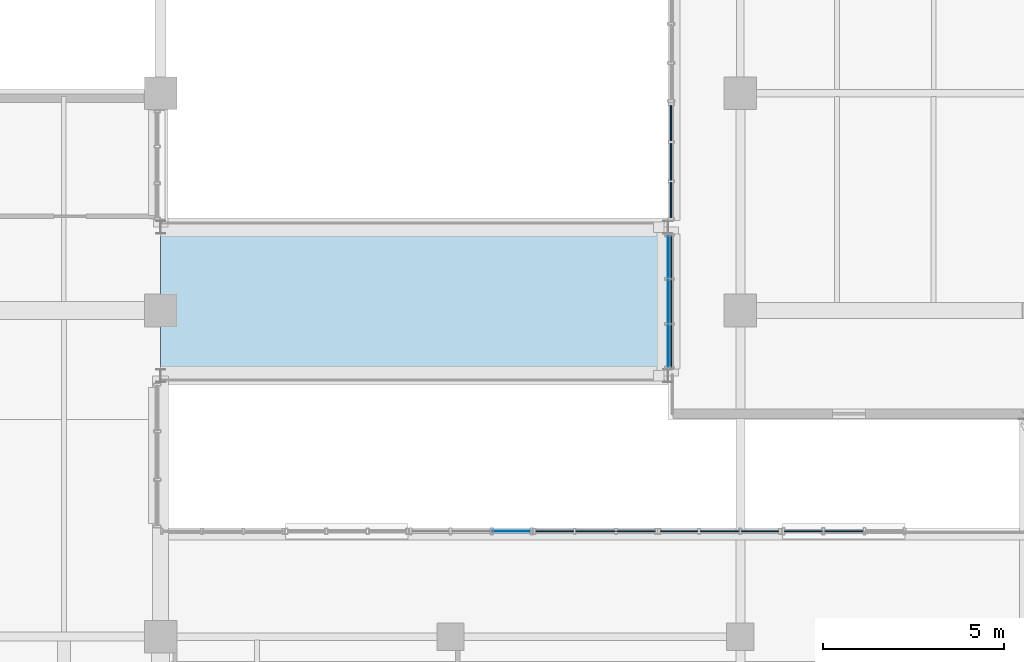
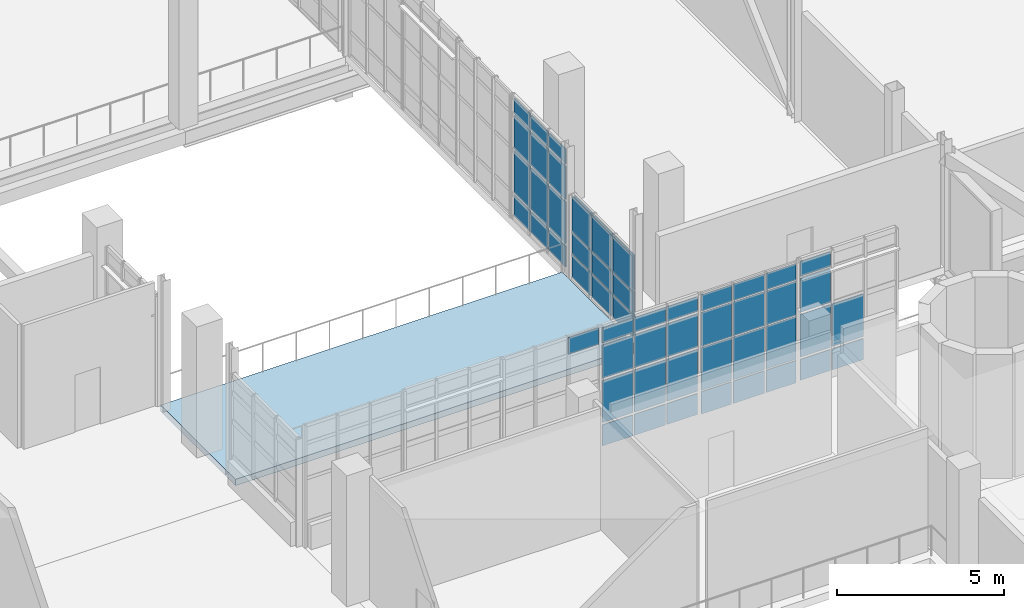
# One storey, part 87 of 127: 61 plates, 1 slab, 7 elements without a shape of their own.
"""IFC4 building model written with IfcOpenShell, lengths in metres."""

from ifc_helpers import new_model, si_unit, derived_unit, direction, frame, origin, origin_2d, place, context, subcontext, project, spatial, polyline, rectangle, outline, extrude, material, layer, layer_set, type_object, element, aggregate, save


model = new_model("IFC4")

# Units and contexts
model_context = context("Model", 3, precision=1e-05, world=origin(), true_north=direction((0.0, 1.0)))
body_context = subcontext(model_context, "Body", "Model", "MODEL_VIEW")
ifc_project = project(units=[si_unit("LENGTHUNIT", "METRE"), si_unit("AREAUNIT", "SQUARE_METRE"), si_unit("VOLUMEUNIT", "CUBIC_METRE"), si_unit("PLANEANGLEUNIT", "RADIAN"), si_unit("MASSUNIT", "GRAM", prefix="KILO"), derived_unit("THERMALTRANSMITTANCEUNIT", [(si_unit("POWERUNIT", "WATT"), 1), (si_unit("LENGTHUNIT", "METRE"), -2), (si_unit("THERMODYNAMICTEMPERATUREUNIT", "KELVIN"), -1)])], contexts=[model_context])

# Site, building, storey
site_placement = place(None, origin())
site = spatial("IfcSite", under=ifc_project, at=site_placement, CompositionType="ELEMENT")
building_placement = place(site_placement, origin())
building = spatial("IfcBuilding", under=site, at=building_placement, Name="Nallur Shell Playhouse", CompositionType="ELEMENT")
storey_placement = place(building_placement, frame((0.0, 0.0, 5.39990234375)))
storey = spatial("IfcBuildingStorey", under=building, at=storey_placement, Name="L02", CompositionType="ELEMENT", Elevation=5.39990234375)

# Curtain wall, plate
ifc_material_1 = material(Name="Anodised Aluminium Double-Glazed Facade System", Category="aluminium")
ifc_layer_1 = layer(ifc_material_1, 0.172119140625)
ifc_layer_set_1 = layer_set([ifc_layer_1], Name="Anodised Aluminium Double-Glazed Facade System")
curtain_wall_type_1 = type_object("IfcCurtainWallType", Name="CW-UNIT-09", PredefinedType="NOTDEFINED", material=ifc_layer_set_1)
curtain_wall_1_placement = place(storey_placement, origin())
curtain_wall_1 = element("IfcCurtainWall", 1, at=curtain_wall_1_placement, inside=storey, type_object=curtain_wall_type_1, Name="Unitised curtain wall CW-009 (L02)", PredefinedType="NOTDEFINED")
ifc_material_2 = material(Name="Solar-Control Low-E Laminated Insulating Glass", Category="glass")
ifc_layer_2 = layer(ifc_material_2, 0.02587890625)
ifc_layer_set_2 = layer_set([ifc_layer_2], Name="Solar-Control Low-E Laminated Insulating Glass")
plate_type_1 = type_object("IfcPlateType", Name="PT-GLZ-01", PredefinedType="CURTAIN_PANEL", material=ifc_layer_set_2)
plate_1_placement = place(storey_placement, frame((49.692138671875, 43.909912109375, 3.86474609375), z_axis=(0.0, 0.0, 1.0), x_axis=(1.0, 0.0, 0.0)))
plate_1 = element("IfcPlate", 2, at=plate_1_placement, type_object=plate_type_1, Name="CW-09 panel 3.4", PredefinedType="CURTAIN_PANEL", context=body_context, shape_type="SweptSolid", body=[
    extrude(rectangle(XDim=1.04296875, YDim=0.02587890625, at=origin_2d()), origin(), (0.0, 0.0, 1.0), 0.598388671875),
])
aggregate(curtain_wall_1, [plate_1])

# Curtain wall, plates
ifc_layer_3 = layer(ifc_material_1, 0.1640625)
ifc_layer_set_3 = layer_set([ifc_layer_3], Name="Anodised Aluminium Double-Glazed Facade System")
curtain_wall_type_2 = type_object("IfcCurtainWallType", Name="CW-UNIT-25", PredefinedType="NOTDEFINED", material=ifc_layer_set_3)
curtain_wall_2_placement = place(storey_placement, origin())
curtain_wall_2 = element("IfcCurtainWall", 3, at=curtain_wall_2_placement, inside=storey, type_object=curtain_wall_type_2, Name="Unitised curtain wall CW-057 (L02)", PredefinedType="NOTDEFINED")
plate_2_placement = place(storey_placement, frame((54.014892578125, 51.475830078125, 0.05712890625), z_axis=(0.0, 0.0, 1.0), x_axis=(0.0, -1.0, 0.0)))
plate_2 = element("IfcPlate", 4, at=plate_2_placement, type_object=plate_type_1, Name="CW-25 panel 1.1", PredefinedType="CURTAIN_PANEL", context=body_context, shape_type="SweptSolid", body=[
    extrude(rectangle(XDim=1.148193359375, YDim=0.02587890625, at=origin_2d()), origin(), (0.0, 0.0, 1.0), 0.818603515625),
])
plate_3_placement = place(storey_placement, frame((54.014892578125, 51.475830078125, 0.924560546875), z_axis=(0.0, 0.0, 1.0), x_axis=(0.0, -1.0, 0.0)))
plate_3 = element("IfcPlate", 5, at=plate_3_placement, type_object=plate_type_1, Name="CW-25 panel 1.2", PredefinedType="CURTAIN_PANEL", context=body_context, shape_type="SweptSolid", body=[
    extrude(rectangle(XDim=1.148193359375, YDim=0.02587890625, at=origin_2d()), origin(), (0.0, 0.0, 1.0), 0.77294921875),
])
plate_4_placement = place(storey_placement, frame((54.014892578125, 51.475830078125, 1.74658203125), z_axis=(0.0, 0.0, 1.0), x_axis=(0.0, -1.0, 0.0)))
plate_4 = element("IfcPlate", 6, at=plate_4_placement, type_object=plate_type_1, Name="CW-25 panel 1.3", PredefinedType="CURTAIN_PANEL", context=body_context, shape_type="SweptSolid", body=[
    extrude(rectangle(XDim=1.148193359375, YDim=0.02587890625, at=origin_2d()), origin(), (0.0, 0.0, 1.0), 1.271484375),
])
plate_5_placement = place(storey_placement, frame((54.014892578125, 50.25, 0.05712890625), z_axis=(0.0, 0.0, 1.0), x_axis=(0.0, -1.0, 0.0)))
plate_5 = element("IfcPlate", 7, at=plate_5_placement, type_object=plate_type_1, Name="CW-25 panel 2.1", PredefinedType="CURTAIN_PANEL", context=body_context, shape_type="SweptSolid", body=[
    extrude(rectangle(XDim=1.185546875, YDim=0.02587890625, at=origin_2d()), origin(), (0.0, 0.0, 1.0), 0.818603515625),
])
plate_6_placement = place(storey_placement, frame((54.014892578125, 50.25, 0.924560546875), z_axis=(0.0, 0.0, 1.0), x_axis=(0.0, -1.0, 0.0)))
plate_6 = element("IfcPlate", 8, at=plate_6_placement, type_object=plate_type_1, Name="CW-25 panel 2.2", PredefinedType="CURTAIN_PANEL", context=body_context, shape_type="SweptSolid", body=[
    extrude(rectangle(XDim=1.185546875, YDim=0.02587890625, at=origin_2d()), origin(), (0.0, 0.0, 1.0), 0.77294921875),
])
plate_7_placement = place(storey_placement, frame((54.014892578125, 50.25, 1.74658203125), z_axis=(0.0, 0.0, 1.0), x_axis=(0.0, -1.0, 0.0)))
plate_7 = element("IfcPlate", 9, at=plate_7_placement, type_object=plate_type_1, Name="CW-25 panel 2.3", PredefinedType="CURTAIN_PANEL", context=body_context, shape_type="SweptSolid", body=[
    extrude(rectangle(XDim=1.185546875, YDim=0.02587890625, at=origin_2d()), origin(), (0.0, 0.0, 1.0), 1.271484375),
])
plate_8_placement = place(storey_placement, frame((54.014892578125, 49.024169921875, 0.05712890625), z_axis=(0.0, 0.0, 1.0), x_axis=(0.0, -1.0, 0.0)))
plate_8 = element("IfcPlate", 10, at=plate_8_placement, type_object=plate_type_1, Name="CW-25 panel 3.1", PredefinedType="CURTAIN_PANEL", context=body_context, shape_type="SweptSolid", body=[
    extrude(rectangle(XDim=1.148193359375, YDim=0.02587890625, at=origin_2d()), origin(), (0.0, 0.0, 1.0), 0.818603515625),
])
plate_9_placement = place(storey_placement, frame((54.014892578125, 49.024169921875, 0.924560546875), z_axis=(0.0, 0.0, 1.0), x_axis=(0.0, -1.0, 0.0)))
plate_9 = element("IfcPlate", 11, at=plate_9_placement, type_object=plate_type_1, Name="CW-25 panel 3.2", PredefinedType="CURTAIN_PANEL", context=body_context, shape_type="SweptSolid", body=[
    extrude(rectangle(XDim=1.148193359375, YDim=0.02587890625, at=origin_2d()), origin(), (0.0, 0.0, 1.0), 0.77294921875),
])
plate_10_placement = place(storey_placement, frame((54.014892578125, 49.024169921875, 1.74658203125), z_axis=(0.0, 0.0, 1.0), x_axis=(0.0, -1.0, 0.0)))
plate_10 = element("IfcPlate", 12, at=plate_10_placement, type_object=plate_type_1, Name="CW-25 panel 3.3", PredefinedType="CURTAIN_PANEL", context=body_context, shape_type="SweptSolid", body=[
    extrude(rectangle(XDim=1.148193359375, YDim=0.02587890625, at=origin_2d()), origin(), (0.0, 0.0, 1.0), 1.271484375),
])
aggregate(curtain_wall_2, [plate_2, plate_3, plate_4, plate_5, plate_6, plate_7, plate_8, plate_9, plate_10])

ifc_layer_4 = layer(ifc_material_1, 0.176025390625)
ifc_layer_set_4 = layer_set([ifc_layer_4], Name="Anodised Aluminium Double-Glazed Facade System")
curtain_wall_type_3 = type_object("IfcCurtainWallType", Name="CW-UNIT-10", PredefinedType="NOTDEFINED", material=ifc_layer_set_4)
curtain_wall_3_placement = place(storey_placement, origin())
curtain_wall_3 = element("IfcCurtainWall", 13, at=curtain_wall_3_placement, inside=storey, type_object=curtain_wall_type_3, Name="Unitised curtain wall CW-010 (L02)", PredefinedType="NOTDEFINED")
ifc_layer_5 = layer(ifc_material_2, 0.028076171875)
ifc_layer_set_5 = layer_set([ifc_layer_5], Name="Solar-Control Low-E Laminated Insulating Glass")
plate_type_2 = type_object("IfcPlateType", Name="PT-GLZ-02", PredefinedType="CURTAIN_PANEL", material=ifc_layer_set_5)
plate_11_placement = place(storey_placement, frame((50.876708984375, 43.909912109375, 0.092041015625), z_axis=(0.0, 0.0, 1.0), x_axis=(1.0, 0.0, 0.0)))
plate_11 = element("IfcPlate", 14, at=plate_11_placement, type_object=plate_type_2, Name="CW-10 panel 1.1", PredefinedType="CURTAIN_PANEL", context=body_context, shape_type="SweptSolid", body=[
    extrude(rectangle(XDim=1.05810546875, YDim=0.028076171875, at=origin_2d()), origin(), (0.0, 0.0, 1.0), 0.76611328125),
])
plate_12_placement = place(storey_placement, frame((50.876708984375, 43.909912109375, 0.9423828125), z_axis=(0.0, 0.0, 1.0), x_axis=(1.0, 0.0, 0.0)))
plate_12 = element("IfcPlate", 15, at=plate_12_placement, type_object=plate_type_2, Name="CW-10 panel 1.2", PredefinedType="CURTAIN_PANEL", context=body_context, shape_type="SweptSolid", body=[
    extrude(rectangle(XDim=1.05810546875, YDim=0.028076171875, at=origin_2d()), origin(), (0.0, 0.0, 1.0), 1.535888671875),
])
plate_13_placement = place(storey_placement, frame((50.876708984375, 43.909912109375, 2.56201171875), z_axis=(0.0, 0.0, 1.0), x_axis=(1.0, 0.0, 0.0)))
plate_13 = element("IfcPlate", 16, at=plate_13_placement, type_object=plate_type_2, Name="CW-10 panel 1.3", PredefinedType="CURTAIN_PANEL", context=body_context, shape_type="SweptSolid", body=[
    extrude(rectangle(XDim=1.05810546875, YDim=0.028076171875, at=origin_2d()), origin(), (0.0, 0.0, 1.0), 1.216064453125),
])
plate_14_placement = place(storey_placement, frame((50.876708984375, 43.909912109375, 3.862060546875), z_axis=(0.0, 0.0, 1.0), x_axis=(1.0, 0.0, 0.0)))
plate_14 = element("IfcPlate", 17, at=plate_14_placement, type_object=plate_type_2, Name="CW-10 panel 1.4", PredefinedType="CURTAIN_PANEL", context=body_context, shape_type="SweptSolid", body=[
    extrude(rectangle(XDim=1.05810546875, YDim=0.028076171875, at=origin_2d()), origin(), (0.0, 0.0, 1.0), 0.5458984375),
])
plate_15_placement = place(storey_placement, frame((52.0, 43.909912109375, 0.092041015625), z_axis=(0.0, 0.0, 1.0), x_axis=(1.0, 0.0, 0.0)))
plate_15 = element("IfcPlate", 18, at=plate_15_placement, type_object=plate_type_2, Name="CW-10 panel 2.1", PredefinedType="CURTAIN_PANEL", context=body_context, shape_type="SweptSolid", body=[
    extrude(rectangle(XDim=1.090576171875, YDim=0.028076171875, at=origin_2d()), origin(), (0.0, 0.0, 1.0), 0.76611328125),
])
plate_16_placement = place(storey_placement, frame((52.0, 43.909912109375, 0.9423828125), z_axis=(0.0, 0.0, 1.0), x_axis=(1.0, 0.0, 0.0)))
plate_16 = element("IfcPlate", 19, at=plate_16_placement, type_object=plate_type_2, Name="CW-10 panel 2.2", PredefinedType="CURTAIN_PANEL", context=body_context, shape_type="SweptSolid", body=[
    extrude(rectangle(XDim=1.090576171875, YDim=0.028076171875, at=origin_2d()), origin(), (0.0, 0.0, 1.0), 1.535888671875),
])
plate_17_placement = place(storey_placement, frame((52.0, 43.909912109375, 2.56201171875), z_axis=(0.0, 0.0, 1.0), x_axis=(1.0, 0.0, 0.0)))
plate_17 = element("IfcPlate", 20, at=plate_17_placement, type_object=plate_type_2, Name="CW-10 panel 2.3", PredefinedType="CURTAIN_PANEL", context=body_context, shape_type="SweptSolid", body=[
    extrude(rectangle(XDim=1.090576171875, YDim=0.028076171875, at=origin_2d()), origin(), (0.0, 0.0, 1.0), 1.216064453125),
])
plate_18_placement = place(storey_placement, frame((52.0, 43.909912109375, 3.862060546875), z_axis=(0.0, 0.0, 1.0), x_axis=(1.0, 0.0, 0.0)))
plate_18 = element("IfcPlate", 21, at=plate_18_placement, type_object=plate_type_2, Name="CW-10 panel 2.4", PredefinedType="CURTAIN_PANEL", context=body_context, shape_type="SweptSolid", body=[
    extrude(rectangle(XDim=1.090576171875, YDim=0.028076171875, at=origin_2d()), origin(), (0.0, 0.0, 1.0), 0.5458984375),
])
plate_19_placement = place(storey_placement, frame((53.123291015625, 43.909912109375, 0.092041015625), z_axis=(0.0, 0.0, 1.0), x_axis=(1.0, 0.0, 0.0)))
plate_19 = element("IfcPlate", 22, at=plate_19_placement, type_object=plate_type_2, Name="CW-10 panel 3.1", PredefinedType="CURTAIN_PANEL", context=body_context, shape_type="SweptSolid", body=[
    extrude(rectangle(XDim=1.05810546875, YDim=0.028076171875, at=origin_2d()), origin(), (0.0, 0.0, 1.0), 0.76611328125),
])
plate_20_placement = place(storey_placement, frame((53.123291015625, 43.909912109375, 0.9423828125), z_axis=(0.0, 0.0, 1.0), x_axis=(1.0, 0.0, 0.0)))
plate_20 = element("IfcPlate", 23, at=plate_20_placement, type_object=plate_type_2, Name="CW-10 panel 3.2", PredefinedType="CURTAIN_PANEL", context=body_context, shape_type="SweptSolid", body=[
    extrude(rectangle(XDim=1.05810546875, YDim=0.028076171875, at=origin_2d()), origin(), (0.0, 0.0, 1.0), 1.535888671875),
])
plate_21_placement = place(storey_placement, frame((53.123291015625, 43.909912109375, 2.56201171875), z_axis=(0.0, 0.0, 1.0), x_axis=(1.0, 0.0, 0.0)))
plate_21 = element("IfcPlate", 24, at=plate_21_placement, type_object=plate_type_2, Name="CW-10 panel 3.3", PredefinedType="CURTAIN_PANEL", context=body_context, shape_type="SweptSolid", body=[
    extrude(rectangle(XDim=1.05810546875, YDim=0.028076171875, at=origin_2d()), origin(), (0.0, 0.0, 1.0), 1.216064453125),
])
plate_22_placement = place(storey_placement, frame((53.123291015625, 43.909912109375, 3.862060546875), z_axis=(0.0, 0.0, 1.0), x_axis=(1.0, 0.0, 0.0)))
plate_22 = element("IfcPlate", 25, at=plate_22_placement, type_object=plate_type_2, Name="CW-10 panel 3.4", PredefinedType="CURTAIN_PANEL", context=body_context, shape_type="SweptSolid", body=[
    extrude(rectangle(XDim=1.05810546875, YDim=0.028076171875, at=origin_2d()), origin(), (0.0, 0.0, 1.0), 0.5458984375),
])
aggregate(curtain_wall_3, [plate_11, plate_12, plate_13, plate_14, plate_15, plate_16, plate_17, plate_18, plate_19, plate_20, plate_21, plate_22])

ifc_layer_6 = layer(ifc_material_1, 0.179931640625)
ifc_layer_set_6 = layer_set([ifc_layer_6], Name="Anodised Aluminium Double-Glazed Facade System")
curtain_wall_type_4 = type_object("IfcCurtainWallType", Name="CW-UNIT-11", PredefinedType="NOTDEFINED", material=ifc_layer_set_6)
curtain_wall_4_placement = place(storey_placement, origin())
curtain_wall_4 = element("IfcCurtainWall", 26, at=curtain_wall_4_placement, inside=storey, type_object=curtain_wall_type_4, Name="Unitised curtain wall CW-011 (L02)", PredefinedType="NOTDEFINED")
ifc_layer_7 = layer(ifc_material_2, 0.030029296875)
ifc_layer_set_7 = layer_set([ifc_layer_7], Name="Solar-Control Low-E Laminated Insulating Glass")
plate_type_3 = type_object("IfcPlateType", Name="PT-GLZ-03", PredefinedType="CURTAIN_PANEL", material=ifc_layer_set_7)
plate_23_placement = place(storey_placement, frame((54.30908203125, 43.909912109375, 0.05712890625), z_axis=(0.0, 0.0, 1.0), x_axis=(1.0, 0.0, 0.0)))
plate_23 = element("IfcPlate", 27, at=plate_23_placement, type_object=plate_type_3, Name="CW-11 panel 1.1", PredefinedType="CURTAIN_PANEL", context=body_context, shape_type="SweptSolid", body=[
    extrude(rectangle(XDim=1.03564453125, YDim=0.030029296875, at=origin_2d()), origin(), (0.0, 0.0, 1.0), 0.818603515625),
])
plate_24_placement = place(storey_placement, frame((54.30908203125, 43.909912109375, 0.924560546875), z_axis=(0.0, 0.0, 1.0), x_axis=(1.0, 0.0, 0.0)))
plate_24 = element("IfcPlate", 28, at=plate_24_placement, type_object=plate_type_3, Name="CW-11 panel 1.2", PredefinedType="CURTAIN_PANEL", context=body_context, shape_type="SweptSolid", body=[
    extrude(rectangle(XDim=1.03564453125, YDim=0.030029296875, at=origin_2d()), origin(), (0.0, 0.0, 1.0), 1.56005859375),
])
plate_25_placement = place(storey_placement, frame((54.30908203125, 43.909912109375, 2.53369140625), z_axis=(0.0, 0.0, 1.0), x_axis=(1.0, 0.0, 0.0)))
plate_25 = element("IfcPlate", 29, at=plate_25_placement, type_object=plate_type_3, Name="CW-11 panel 1.3", PredefinedType="CURTAIN_PANEL", context=body_context, shape_type="SweptSolid", body=[
    extrude(rectangle(XDim=1.03564453125, YDim=0.030029296875, at=origin_2d()), origin(), (0.0, 0.0, 1.0), 1.241943359375),
])
plate_26_placement = place(storey_placement, frame((54.30908203125, 43.909912109375, 3.82470703125), z_axis=(0.0, 0.0, 1.0), x_axis=(1.0, 0.0, 0.0)))
plate_26 = element("IfcPlate", 30, at=plate_26_placement, type_object=plate_type_3, Name="CW-11 panel 1.4", PredefinedType="CURTAIN_PANEL", context=body_context, shape_type="SweptSolid", body=[
    extrude(rectangle(XDim=1.03564453125, YDim=0.030029296875, at=origin_2d()), origin(), (0.0, 0.0, 1.0), 0.598388671875),
])
plate_27_placement = place(storey_placement, frame((55.4287109375, 43.909912109375, 0.05712890625), z_axis=(0.0, 0.0, 1.0), x_axis=(1.0, 0.0, 0.0)))
plate_27 = element("IfcPlate", 31, at=plate_27_placement, type_object=plate_type_3, Name="CW-11 panel 2.1", PredefinedType="CURTAIN_PANEL", context=body_context, shape_type="SweptSolid", body=[
    extrude(rectangle(XDim=1.075439453125, YDim=0.030029296875, at=origin_2d()), origin(), (0.0, 0.0, 1.0), 0.818603515625),
])
plate_28_placement = place(storey_placement, frame((55.4287109375, 43.909912109375, 0.924560546875), z_axis=(0.0, 0.0, 1.0), x_axis=(1.0, 0.0, 0.0)))
plate_28 = element("IfcPlate", 32, at=plate_28_placement, type_object=plate_type_3, Name="CW-11 panel 2.2", PredefinedType="CURTAIN_PANEL", context=body_context, shape_type="SweptSolid", body=[
    extrude(rectangle(XDim=1.075439453125, YDim=0.030029296875, at=origin_2d()), origin(), (0.0, 0.0, 1.0), 1.56005859375),
])
plate_29_placement = place(storey_placement, frame((55.4287109375, 43.909912109375, 2.53369140625), z_axis=(0.0, 0.0, 1.0), x_axis=(1.0, 0.0, 0.0)))
plate_29 = element("IfcPlate", 33, at=plate_29_placement, type_object=plate_type_3, Name="CW-11 panel 2.3", PredefinedType="CURTAIN_PANEL", context=body_context, shape_type="SweptSolid", body=[
    extrude(rectangle(XDim=1.075439453125, YDim=0.030029296875, at=origin_2d()), origin(), (0.0, 0.0, 1.0), 1.241943359375),
])
plate_30_placement = place(storey_placement, frame((55.4287109375, 43.909912109375, 3.82470703125), z_axis=(0.0, 0.0, 1.0), x_axis=(1.0, 0.0, 0.0)))
plate_30 = element("IfcPlate", 34, at=plate_30_placement, type_object=plate_type_3, Name="CW-11 panel 2.4", PredefinedType="CURTAIN_PANEL", context=body_context, shape_type="SweptSolid", body=[
    extrude(rectangle(XDim=1.075439453125, YDim=0.030029296875, at=origin_2d()), origin(), (0.0, 0.0, 1.0), 0.598388671875),
])
plate_31_placement = place(storey_placement, frame((56.548095703125, 43.909912109375, 0.05712890625), z_axis=(0.0, 0.0, 1.0), x_axis=(1.0, 0.0, 0.0)))
plate_31 = element("IfcPlate", 35, at=plate_31_placement, type_object=plate_type_3, Name="CW-11 panel 3.1", PredefinedType="CURTAIN_PANEL", context=body_context, shape_type="SweptSolid", body=[
    extrude(rectangle(XDim=1.03564453125, YDim=0.030029296875, at=origin_2d()), origin(), (0.0, 0.0, 1.0), 0.818603515625),
])
plate_32_placement = place(storey_placement, frame((56.548095703125, 43.909912109375, 0.924560546875), z_axis=(0.0, 0.0, 1.0), x_axis=(1.0, 0.0, 0.0)))
plate_32 = element("IfcPlate", 36, at=plate_32_placement, type_object=plate_type_3, Name="CW-11 panel 3.2", PredefinedType="CURTAIN_PANEL", context=body_context, shape_type="SweptSolid", body=[
    extrude(rectangle(XDim=1.03564453125, YDim=0.030029296875, at=origin_2d()), origin(), (0.0, 0.0, 1.0), 1.56005859375),
])
plate_33_placement = place(storey_placement, frame((56.548095703125, 43.909912109375, 2.53369140625), z_axis=(0.0, 0.0, 1.0), x_axis=(1.0, 0.0, 0.0)))
plate_33 = element("IfcPlate", 37, at=plate_33_placement, type_object=plate_type_3, Name="CW-11 panel 3.3", PredefinedType="CURTAIN_PANEL", context=body_context, shape_type="SweptSolid", body=[
    extrude(rectangle(XDim=1.03564453125, YDim=0.030029296875, at=origin_2d()), origin(), (0.0, 0.0, 1.0), 1.241943359375),
])
plate_34_placement = place(storey_placement, frame((56.548095703125, 43.909912109375, 3.82470703125), z_axis=(0.0, 0.0, 1.0), x_axis=(1.0, 0.0, 0.0)))
plate_34 = element("IfcPlate", 38, at=plate_34_placement, type_object=plate_type_3, Name="CW-11 panel 3.4", PredefinedType="CURTAIN_PANEL", context=body_context, shape_type="SweptSolid", body=[
    extrude(rectangle(XDim=1.03564453125, YDim=0.030029296875, at=origin_2d()), origin(), (0.0, 0.0, 1.0), 0.598388671875),
])
aggregate(curtain_wall_4, [plate_23, plate_24, plate_25, plate_26, plate_27, plate_28, plate_29, plate_30, plate_31, plate_32, plate_33, plate_34])

ifc_layer_8 = layer(ifc_material_1, 0.159912109375)
ifc_layer_set_8 = layer_set([ifc_layer_8], Name="Anodised Aluminium Double-Glazed Facade System")
curtain_wall_type_5 = type_object("IfcCurtainWallType", Name="CW-UNIT-12", PredefinedType="NOTDEFINED", material=ifc_layer_set_8)
curtain_wall_5_placement = place(storey_placement, origin())
curtain_wall_5 = element("IfcCurtainWall", 39, at=curtain_wall_5_placement, inside=storey, type_object=curtain_wall_type_5, Name="Unitised curtain wall CW-012 (L02)", PredefinedType="NOTDEFINED")
ifc_layer_9 = layer(ifc_material_2, 0.031982421875)
ifc_layer_set_9 = layer_set([ifc_layer_9], Name="Solar-Control Low-E Laminated Insulating Glass")
plate_type_4 = type_object("IfcPlateType", Name="PT-GLZ-04", PredefinedType="CURTAIN_PANEL", material=ifc_layer_set_9)
plate_35_placement = place(storey_placement, frame((57.736328125, 43.909912109375, 0.092041015625), z_axis=(0.0, 0.0, 1.0), x_axis=(1.0, 0.0, 0.0)))
plate_35 = element("IfcPlate", 40, at=plate_35_placement, type_object=plate_type_4, Name="CW-12 panel 1.1", PredefinedType="CURTAIN_PANEL", context=body_context, shape_type="SweptSolid", body=[
    extrude(rectangle(XDim=1.04296875, YDim=0.031982421875, at=origin_2d()), origin(), (0.0, 0.0, 1.0), 0.76611328125),
])
plate_36_placement = place(storey_placement, frame((57.736328125, 43.909912109375, 0.942138671875), z_axis=(0.0, 0.0, 1.0), x_axis=(1.0, 0.0, 0.0)))
plate_36 = element("IfcPlate", 41, at=plate_36_placement, type_object=plate_type_4, Name="CW-12 panel 1.2", PredefinedType="CURTAIN_PANEL", context=body_context, shape_type="SweptSolid", body=[
    extrude(rectangle(XDim=1.04296875, YDim=0.031982421875, at=origin_2d()), origin(), (0.0, 0.0, 1.0), 1.55810546875),
])
plate_37_placement = place(storey_placement, frame((57.736328125, 43.909912109375, 2.584228515625), z_axis=(0.0, 0.0, 1.0), x_axis=(1.0, 0.0, 0.0)))
plate_37 = element("IfcPlate", 42, at=plate_37_placement, type_object=plate_type_4, Name="CW-12 panel 1.3", PredefinedType="CURTAIN_PANEL", context=body_context, shape_type="SweptSolid", body=[
    extrude(rectangle(XDim=1.04296875, YDim=0.031982421875, at=origin_2d()), origin(), (0.0, 0.0, 1.0), 1.23388671875),
])
plate_38_placement = place(storey_placement, frame((57.736328125, 43.909912109375, 3.902099609375), z_axis=(0.0, 0.0, 1.0), x_axis=(1.0, 0.0, 0.0)))
plate_38 = element("IfcPlate", 43, at=plate_38_placement, type_object=plate_type_4, Name="CW-12 panel 1.4", PredefinedType="CURTAIN_PANEL", context=body_context, shape_type="SweptSolid", body=[
    extrude(rectangle(XDim=1.04296875, YDim=0.031982421875, at=origin_2d()), origin(), (0.0, 0.0, 1.0), 0.5458984375),
])
plate_39_placement = place(storey_placement, frame((58.857177734375, 43.909912109375, 0.092041015625), z_axis=(0.0, 0.0, 1.0), x_axis=(1.0, 0.0, 0.0)))
plate_39 = element("IfcPlate", 44, at=plate_39_placement, type_object=plate_type_4, Name="CW-12 panel 2.1", PredefinedType="CURTAIN_PANEL", context=body_context, shape_type="SweptSolid", body=[
    extrude(rectangle(XDim=1.08056640625, YDim=0.031982421875, at=origin_2d()), origin(), (0.0, 0.0, 1.0), 0.76611328125),
])
plate_40_placement = place(storey_placement, frame((58.857177734375, 43.909912109375, 0.942138671875), z_axis=(0.0, 0.0, 1.0), x_axis=(1.0, 0.0, 0.0)))
plate_40 = element("IfcPlate", 45, at=plate_40_placement, type_object=plate_type_4, Name="CW-12 panel 2.2", PredefinedType="CURTAIN_PANEL", context=body_context, shape_type="SweptSolid", body=[
    extrude(rectangle(XDim=1.08056640625, YDim=0.031982421875, at=origin_2d()), origin(), (0.0, 0.0, 1.0), 1.55810546875),
])
aggregate(curtain_wall_5, [plate_35, plate_36, plate_37, plate_38, plate_39, plate_40])

ifc_layer_10 = layer(ifc_material_1, 0.1640625)
ifc_layer_set_10 = layer_set([ifc_layer_10], Name="Anodised Aluminium Double-Glazed Facade System")
curtain_wall_type_6 = type_object("IfcCurtainWallType", Name="CW-UNIT-13", PredefinedType="NOTDEFINED", material=ifc_layer_set_10)
curtain_wall_6_placement = place(storey_placement, origin())
curtain_wall_6 = element("IfcCurtainWall", 46, at=curtain_wall_6_placement, inside=storey, type_object=curtain_wall_type_6, Name="Unitised curtain wall CW-013 (L02)", PredefinedType="NOTDEFINED")
ifc_layer_11 = layer(ifc_material_2, 0.033935546875)
ifc_layer_set_11 = layer_set([ifc_layer_11], Name="Solar-Control Low-E Laminated Insulating Glass")
plate_type_5 = type_object("IfcPlateType", Name="PT-GLZ-05", PredefinedType="CURTAIN_PANEL", material=ifc_layer_set_11)
plate_41_placement = place(storey_placement, frame((54.090087890625, 49.021484375, 0.05712890625), z_axis=(0.0, 0.0, 1.0), x_axis=(0.0, 1.0, 0.0)))
plate_41 = element("IfcPlate", 47, at=plate_41_placement, type_object=plate_type_5, Name="CW-13 panel 1.1", PredefinedType="CURTAIN_PANEL", context=body_context, shape_type="SweptSolid", body=[
    extrude(rectangle(XDim=1.1630859375, YDim=0.033935546875, at=origin_2d()), origin(), (0.0, 0.0, 1.0), 0.818603515625),
])
plate_42_placement = place(storey_placement, frame((54.090087890625, 49.021484375, 0.924560546875), z_axis=(0.0, 0.0, 1.0), x_axis=(0.0, 1.0, 0.0)))
plate_42 = element("IfcPlate", 48, at=plate_42_placement, type_object=plate_type_5, Name="CW-13 panel 1.2", PredefinedType="CURTAIN_PANEL", context=body_context, shape_type="SweptSolid", body=[
    extrude(rectangle(XDim=1.1630859375, YDim=0.033935546875, at=origin_2d()), origin(), (0.0, 0.0, 1.0), 0.77294921875),
])
plate_43_placement = place(storey_placement, frame((54.090087890625, 49.021484375, 1.74658203125), z_axis=(0.0, 0.0, 1.0), x_axis=(0.0, 1.0, 0.0)))
plate_43 = element("IfcPlate", 49, at=plate_43_placement, type_object=plate_type_5, Name="CW-13 panel 1.3", PredefinedType="CURTAIN_PANEL", context=body_context, shape_type="SweptSolid", body=[
    extrude(rectangle(XDim=1.1630859375, YDim=0.033935546875, at=origin_2d()), origin(), (0.0, 0.0, 1.0), 1.271484375),
])
plate_44_placement = place(storey_placement, frame((54.090087890625, 50.25, 0.05712890625), z_axis=(0.0, 0.0, 1.0), x_axis=(0.0, 1.0, 0.0)))
plate_44 = element("IfcPlate", 50, at=plate_44_placement, type_object=plate_type_5, Name="CW-13 panel 2.1", PredefinedType="CURTAIN_PANEL", context=body_context, shape_type="SweptSolid", body=[
    extrude(rectangle(XDim=1.195556640625, YDim=0.033935546875, at=origin_2d()), origin(), (0.0, 0.0, 1.0), 0.818603515625),
])
plate_45_placement = place(storey_placement, frame((54.090087890625, 50.25, 0.924560546875), z_axis=(0.0, 0.0, 1.0), x_axis=(0.0, 1.0, 0.0)))
plate_45 = element("IfcPlate", 51, at=plate_45_placement, type_object=plate_type_5, Name="CW-13 panel 2.2", PredefinedType="CURTAIN_PANEL", context=body_context, shape_type="SweptSolid", body=[
    extrude(rectangle(XDim=1.195556640625, YDim=0.033935546875, at=origin_2d()), origin(), (0.0, 0.0, 1.0), 0.77294921875),
])
plate_46_placement = place(storey_placement, frame((54.090087890625, 50.25, 1.74658203125), z_axis=(0.0, 0.0, 1.0), x_axis=(0.0, 1.0, 0.0)))
plate_46 = element("IfcPlate", 52, at=plate_46_placement, type_object=plate_type_5, Name="CW-13 panel 2.3", PredefinedType="CURTAIN_PANEL", context=body_context, shape_type="SweptSolid", body=[
    extrude(rectangle(XDim=1.195556640625, YDim=0.033935546875, at=origin_2d()), origin(), (0.0, 0.0, 1.0), 1.271484375),
])
plate_47_placement = place(storey_placement, frame((54.090087890625, 51.478515625, 0.05712890625), z_axis=(0.0, 0.0, 1.0), x_axis=(0.0, 1.0, 0.0)))
plate_47 = element("IfcPlate", 53, at=plate_47_placement, type_object=plate_type_5, Name="CW-13 panel 3.1", PredefinedType="CURTAIN_PANEL", context=body_context, shape_type="SweptSolid", body=[
    extrude(rectangle(XDim=1.1630859375, YDim=0.033935546875, at=origin_2d()), origin(), (0.0, 0.0, 1.0), 0.818603515625),
])
plate_48_placement = place(storey_placement, frame((54.090087890625, 51.478515625, 0.924560546875), z_axis=(0.0, 0.0, 1.0), x_axis=(0.0, 1.0, 0.0)))
plate_48 = element("IfcPlate", 54, at=plate_48_placement, type_object=plate_type_5, Name="CW-13 panel 3.2", PredefinedType="CURTAIN_PANEL", context=body_context, shape_type="SweptSolid", body=[
    extrude(rectangle(XDim=1.1630859375, YDim=0.033935546875, at=origin_2d()), origin(), (0.0, 0.0, 1.0), 0.77294921875),
])
plate_49_placement = place(storey_placement, frame((54.090087890625, 51.478515625, 1.74658203125), z_axis=(0.0, 0.0, 1.0), x_axis=(0.0, 1.0, 0.0)))
plate_49 = element("IfcPlate", 55, at=plate_49_placement, type_object=plate_type_5, Name="CW-13 panel 3.3", PredefinedType="CURTAIN_PANEL", context=body_context, shape_type="SweptSolid", body=[
    extrude(rectangle(XDim=1.1630859375, YDim=0.033935546875, at=origin_2d()), origin(), (0.0, 0.0, 1.0), 1.271484375),
])
aggregate(curtain_wall_6, [plate_41, plate_42, plate_43, plate_44, plate_45, plate_46, plate_47, plate_48, plate_49])

ifc_layer_12 = layer(ifc_material_1, 0.16796875)
ifc_layer_set_12 = layer_set([ifc_layer_12], Name="Anodised Aluminium Double-Glazed Facade System")
curtain_wall_type_7 = type_object("IfcCurtainWallType", Name="CW-UNIT-14", PredefinedType="NOTDEFINED", material=ifc_layer_set_12)
curtain_wall_7_placement = place(storey_placement, origin())
curtain_wall_7 = element("IfcCurtainWall", 56, at=curtain_wall_7_placement, inside=storey, type_object=curtain_wall_type_7, Name="Unitised curtain wall CW-014 (L02)", PredefinedType="NOTDEFINED")
ifc_layer_13 = layer(ifc_material_2, 0.035888671875)
ifc_layer_set_13 = layer_set([ifc_layer_13], Name="Solar-Control Low-E Laminated Insulating Glass")
plate_type_6 = type_object("IfcPlateType", Name="PT-GLZ-06", PredefinedType="CURTAIN_PANEL", material=ifc_layer_set_13)
plate_50_placement = place(storey_placement, frame((54.090087890625, 53.045166015625, 0.092041015625), z_axis=(0.0, 0.0, 1.0), x_axis=(0.0, 1.0, 0.0)))
plate_50 = element("IfcPlate", 57, at=plate_50_placement, type_object=plate_type_6, Name="CW-14 panel 1.1", PredefinedType="CURTAIN_PANEL", context=body_context, shape_type="SweptSolid", body=[
    extrude(rectangle(XDim=0.98046875, YDim=0.035888671875, at=origin_2d()), origin(), (0.0, 0.0, 1.0), 0.76611328125),
])
plate_51_placement = place(storey_placement, frame((54.090087890625, 53.045166015625, 0.9423828125), z_axis=(0.0, 0.0, 1.0), x_axis=(0.0, 1.0, 0.0)))
plate_51 = element("IfcPlate", 58, at=plate_51_placement, type_object=plate_type_6, Name="CW-14 panel 1.2", PredefinedType="CURTAIN_PANEL", context=body_context, shape_type="SweptSolid", body=[
    extrude(rectangle(XDim=0.98046875, YDim=0.035888671875, at=origin_2d()), origin(), (0.0, 0.0, 1.0), 1.535888671875),
])
plate_52_placement = place(storey_placement, frame((54.090087890625, 53.045166015625, 2.56201171875), z_axis=(0.0, 0.0, 1.0), x_axis=(0.0, 1.0, 0.0)))
plate_52 = element("IfcPlate", 59, at=plate_52_placement, type_object=plate_type_6, Name="CW-14 panel 1.3", PredefinedType="CURTAIN_PANEL", context=body_context, shape_type="SweptSolid", body=[
    extrude(rectangle(XDim=0.98046875, YDim=0.035888671875, at=origin_2d()), origin(), (0.0, 0.0, 1.0), 1.216064453125),
])
plate_53_placement = place(storey_placement, frame((54.090087890625, 53.045166015625, 3.862060546875), z_axis=(0.0, 0.0, 1.0), x_axis=(0.0, 1.0, 0.0)))
plate_53 = element("IfcPlate", 60, at=plate_53_placement, type_object=plate_type_6, Name="CW-14 panel 1.4", PredefinedType="CURTAIN_PANEL", context=body_context, shape_type="SweptSolid", body=[
    extrude(rectangle(XDim=0.98046875, YDim=0.035888671875, at=origin_2d()), origin(), (0.0, 0.0, 1.0), 0.5458984375),
])
plate_54_placement = place(storey_placement, frame((54.090087890625, 54.10986328125, 0.092041015625), z_axis=(0.0, 0.0, 1.0), x_axis=(0.0, 1.0, 0.0)))
plate_54 = element("IfcPlate", 61, at=plate_54_placement, type_object=plate_type_6, Name="CW-14 panel 2.1", PredefinedType="CURTAIN_PANEL", context=body_context, shape_type="SweptSolid", body=[
    extrude(rectangle(XDim=1.0205078125, YDim=0.035888671875, at=origin_2d()), origin(), (0.0, 0.0, 1.0), 0.76611328125),
])
plate_55_placement = place(storey_placement, frame((54.090087890625, 54.10986328125, 0.9423828125), z_axis=(0.0, 0.0, 1.0), x_axis=(0.0, 1.0, 0.0)))
plate_55 = element("IfcPlate", 62, at=plate_55_placement, type_object=plate_type_6, Name="CW-14 panel 2.2", PredefinedType="CURTAIN_PANEL", context=body_context, shape_type="SweptSolid", body=[
    extrude(rectangle(XDim=1.0205078125, YDim=0.035888671875, at=origin_2d()), origin(), (0.0, 0.0, 1.0), 1.535888671875),
])
plate_56_placement = place(storey_placement, frame((54.090087890625, 54.10986328125, 2.56201171875), z_axis=(0.0, 0.0, 1.0), x_axis=(0.0, 1.0, 0.0)))
plate_56 = element("IfcPlate", 63, at=plate_56_placement, type_object=plate_type_6, Name="CW-14 panel 2.3", PredefinedType="CURTAIN_PANEL", context=body_context, shape_type="SweptSolid", body=[
    extrude(rectangle(XDim=1.0205078125, YDim=0.035888671875, at=origin_2d()), origin(), (0.0, 0.0, 1.0), 1.216064453125),
])
plate_57_placement = place(storey_placement, frame((54.090087890625, 54.10986328125, 3.862060546875), z_axis=(0.0, 0.0, 1.0), x_axis=(0.0, 1.0, 0.0)))
plate_57 = element("IfcPlate", 64, at=plate_57_placement, type_object=plate_type_6, Name="CW-14 panel 2.4", PredefinedType="CURTAIN_PANEL", context=body_context, shape_type="SweptSolid", body=[
    extrude(rectangle(XDim=1.0205078125, YDim=0.035888671875, at=origin_2d()), origin(), (0.0, 0.0, 1.0), 0.5458984375),
])
plate_58_placement = place(storey_placement, frame((54.090087890625, 55.17431640625, 0.092041015625), z_axis=(0.0, 0.0, 1.0), x_axis=(0.0, 1.0, 0.0)))
plate_58 = element("IfcPlate", 65, at=plate_58_placement, type_object=plate_type_6, Name="CW-14 panel 3.1", PredefinedType="CURTAIN_PANEL", context=body_context, shape_type="SweptSolid", body=[
    extrude(rectangle(XDim=0.98046875, YDim=0.035888671875, at=origin_2d()), origin(), (0.0, 0.0, 1.0), 0.76611328125),
])
plate_59_placement = place(storey_placement, frame((54.090087890625, 55.17431640625, 0.9423828125), z_axis=(0.0, 0.0, 1.0), x_axis=(0.0, 1.0, 0.0)))
plate_59 = element("IfcPlate", 66, at=plate_59_placement, type_object=plate_type_6, Name="CW-14 panel 3.2", PredefinedType="CURTAIN_PANEL", context=body_context, shape_type="SweptSolid", body=[
    extrude(rectangle(XDim=0.98046875, YDim=0.035888671875, at=origin_2d()), origin(), (0.0, 0.0, 1.0), 1.535888671875),
])
plate_60_placement = place(storey_placement, frame((54.090087890625, 55.17431640625, 2.56201171875), z_axis=(0.0, 0.0, 1.0), x_axis=(0.0, 1.0, 0.0)))
plate_60 = element("IfcPlate", 67, at=plate_60_placement, type_object=plate_type_6, Name="CW-14 panel 3.3", PredefinedType="CURTAIN_PANEL", context=body_context, shape_type="SweptSolid", body=[
    extrude(rectangle(XDim=0.98046875, YDim=0.035888671875, at=origin_2d()), origin(), (0.0, 0.0, 1.0), 1.216064453125),
])
plate_61_placement = place(storey_placement, frame((54.090087890625, 55.17431640625, 3.862060546875), z_axis=(0.0, 0.0, 1.0), x_axis=(0.0, 1.0, 0.0)))
plate_61 = element("IfcPlate", 68, at=plate_61_placement, type_object=plate_type_6, Name="CW-14 panel 3.4", PredefinedType="CURTAIN_PANEL", context=body_context, shape_type="SweptSolid", body=[
    extrude(rectangle(XDim=0.98046875, YDim=0.035888671875, at=origin_2d()), origin(), (0.0, 0.0, 1.0), 0.5458984375),
])
aggregate(curtain_wall_7, [plate_50, plate_51, plate_52, plate_53, plate_54, plate_55, plate_56, plate_57, plate_58, plate_59, plate_60, plate_61])

# Slab
ifc_material_3 = material(Name="Concrete M35", Category="concrete")
ifc_layer_14 = layer(ifc_material_3, 0.22998046875)
ifc_layer_set_14 = layer_set([ifc_layer_14], Name="Concrete M35")
slab_type = type_object("IfcSlabType", Name="SL-BRIDGE-230", PredefinedType="FLOOR", material=ifc_layer_set_14)
slab_placement = place(storey_placement, frame((0.0, 0.0, -0.22998046875)))
element("IfcSlab", 69, at=slab_placement, inside=storey, type_object=slab_type, Name="L02 structural floor slab panel 08", PredefinedType="FLOOR", context=body_context, shape_type="SweptSolid", body=[
    extrude(outline(polyline([(53.925048828125, 52.5), (53.925048828125, 48.0), (40.0, 48.0), (40.0, 52.5), (53.925048828125, 52.5)])), origin(), (0.0, 0.0, 1.0), 0.22998046875),
])

save(model, "model.ifc")
